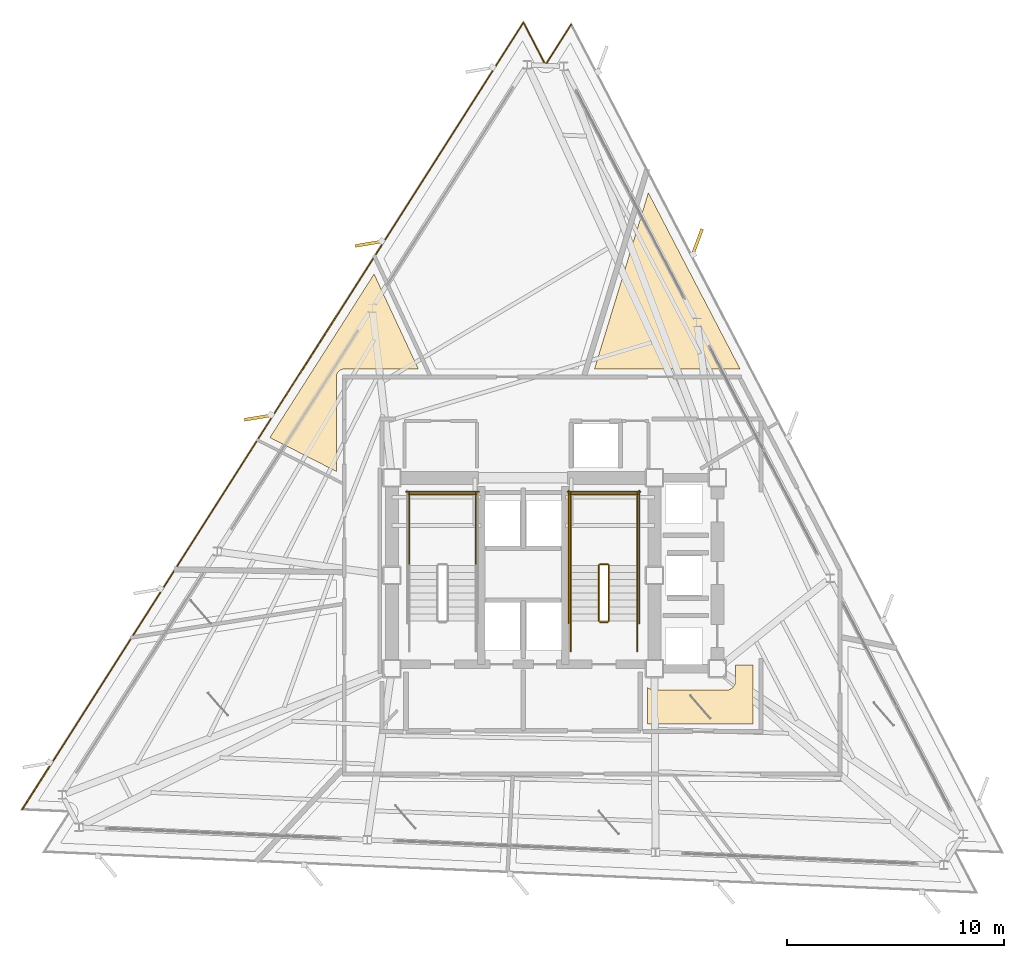
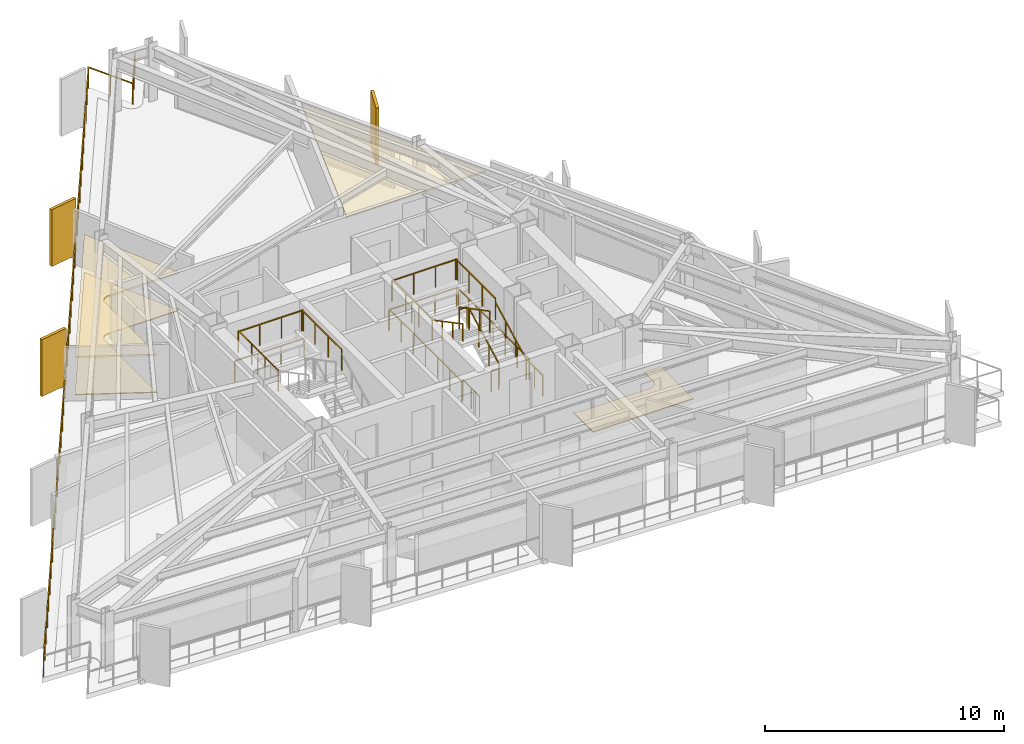
# One storey, part 11 of 12: 19 railings, 4 coverings, 3 shading devices.
"""IFC4 building model written with IfcOpenShell, lengths in metres."""

from ifc_helpers import new_model, si_unit, direction, frame, origin, origin_2d, place, context, subcontext, project, spatial, polyline, rectangle, outline, extrude, material, layer, layer_set, type_object, element, save


model = new_model("IFC4")

# Units and contexts
model_context = context("Model", 3, precision=1e-05, world=origin(), true_north=direction((0.0, 1.0)))
body_context = subcontext(model_context, "Body", "Model", "MODEL_VIEW")
ifc_project = project(units=[si_unit("LENGTHUNIT", "METRE"), si_unit("AREAUNIT", "SQUARE_METRE"), si_unit("VOLUMEUNIT", "CUBIC_METRE"), si_unit("PLANEANGLEUNIT", "RADIAN"), si_unit("MASSUNIT", "GRAM", prefix="KILO")], contexts=[model_context])

# Site, building, storey
site_placement = place(None, origin())
site = spatial("IfcSite", under=ifc_project, at=site_placement, CompositionType="ELEMENT")
building_placement = place(site_placement, origin())
building = spatial("IfcBuilding", under=site, at=building_placement, Name="Rocaltana Carrier Exchange", CompositionType="ELEMENT")
storey_placement = place(building_placement, frame((0.0, 0.0, 141.1201171875)))
storey = spatial("IfcBuildingStorey", under=building, at=storey_placement, Name="L44", CompositionType="ELEMENT", Elevation=141.1201171875)

# Coverings
ifc_material_1 = material(Name="Honed Bogota Sandstone Tile", Category="masonry")
ifc_layer_1 = layer(ifc_material_1, 0.0400390625)
ifc_layer_set_1 = layer_set([ifc_layer_1], Name="Honed Bogota Sandstone Tile")
covering_type_1 = type_object("IfcCoveringType", Name="Honed Stone Lobby Flooring 40", PredefinedType="FLOORING", material=ifc_layer_set_1)
covering_1_placement = place(storey_placement, origin())
element("IfcCovering", 1, at=covering_1_placement, inside=storey, type_object=covering_type_1, Name="L44 Peering Conference Room Finish Floor", PredefinedType="FLOORING", context=body_context, shape_type="SweptSolid", body=[
    extrude(outline(polyline([(5.739990234375, -6.840087890625), (5.739990234375, -5.161865234375), (5.748779296875, -5.170654296875), (5.760498046875, -5.18115234375), (5.78173828125, -5.198486328125), (5.794189453125, -5.2080078125), (5.817138671875, -5.22314453125), (5.83056640625, -5.231201171875), (5.85498046875, -5.244140625), (5.869140625, -5.2509765625), (5.894287109375, -5.261474609375), (5.9091796875, -5.2666015625), (5.935546875, -5.274658203125), (5.95068359375, -5.278564453125), (5.977783203125, -5.283935546875), (5.9931640625, -5.2861328125), (6.0205078125, -5.288818359375), (6.036376953125, -5.289794921875), (6.050048828125, -5.2900390625), (9.35009765625, -5.2900390625), (9.36376953125, -5.289794921875), (9.37939453125, -5.288818359375), (9.40673828125, -5.2861328125), (9.42236328125, -5.283935546875), (9.44921875, -5.278564453125), (9.464599609375, -5.274658203125), (9.49072265625, -5.2666015625), (9.505615234375, -5.261474609375), (9.531005859375, -5.2509765625), (9.545166015625, -5.244140625), (9.5693359375, -5.231201171875), (9.582763671875, -5.22314453125), (9.605712890625, -5.2080078125), (9.618408203125, -5.198486328125), (9.639404296875, -5.18115234375), (9.651123046875, -5.170654296875), (9.670654296875, -5.151123046875), (9.68115234375, -5.139404296875), (9.698486328125, -5.118408203125), (9.7080078125, -5.105712890625), (9.72314453125, -5.082763671875), (9.731201171875, -5.0693359375), (9.744140625, -5.045166015625), (9.7509765625, -5.031005859375), (9.761474609375, -5.005615234375), (9.7666015625, -4.99072265625), (9.774658203125, -4.964599609375), (9.778564453125, -4.94921875), (9.783935546875, -4.92236328125), (9.7861328125, -4.90673828125), (9.788818359375, -4.87939453125), (9.789794921875, -4.86376953125), (9.7900390625, -4.85009765625), (9.7900390625, -4.139892578125), (10.60009765625, -4.139892578125), (10.60009765625, -6.840087890625), (5.739990234375, -6.840087890625)])), origin(), (0.0, 0.0, 1.0), 0.039794921875),
])
covering_2_placement = place(storey_placement, origin())
element("IfcCovering", 2, at=covering_2_placement, inside=storey, type_object=covering_type_1, Name="L44 Client Reception Foyer Finish Floor", PredefinedType="FLOORING", context=body_context, shape_type="SweptSolid", body=[
    extrude(outline(polyline([(-6.874267578125, 13.89013671875), (-4.831787109375, 9.510009765625), (-8.25, 9.510009765625), (-8.263671875, 9.509765625), (-8.271484375, 9.50927734375), (-8.298828125, 9.506591796875), (-8.306640625, 9.50537109375), (-8.33349609375, 9.5), (-8.34130859375, 9.498291015625), (-8.36767578125, 9.490234375), (-8.375, 9.487548828125), (-8.400390625, 9.47705078125), (-8.407470703125, 9.4736328125), (-8.431640625, 9.460693359375), (-8.4384765625, 9.456787109375), (-8.461181640625, 9.44140625), (-8.467529296875, 9.436767578125), (-8.48876953125, 9.419189453125), (-8.49462890625, 9.4140625), (-8.513916015625, 9.39453125), (-8.519287109375, 9.388916015625), (-8.53662109375, 9.367431640625), (-8.54150390625, 9.361083984375), (-8.556640625, 9.33837890625), (-8.560791015625, 9.331787109375), (-8.57373046875, 9.307373046875), (-8.576904296875, 9.30029296875), (-8.58740234375, 9.27490234375), (-8.590087890625, 9.267578125), (-8.59814453125, 9.2412109375), (-8.60009765625, 9.233642578125), (-8.60546875, 9.206787109375), (-8.606689453125, 9.198974609375), (-8.609375, 9.171630859375), (-8.609619140625, 9.163818359375), (-8.610107421875, 9.14990234375), (-8.610107421875, 4.791015625), (-11.67578125, 6.353271484375), (-6.874267578125, 13.89013671875)])), origin(), (0.0, 0.0, 1.0), 0.039794921875),
])
ifc_material_2 = material(Name="Anodised Aluminium 6063-T6", Category="aluminium")
ifc_layer_2 = layer(ifc_material_2, 0.0849609375)
ifc_layer_set_2 = layer_set([ifc_layer_2], Name="Anodised Aluminium 6063-T6")
covering_type_2 = type_object("IfcCoveringType", Name="Linear Baffle Acoustic Ceiling 85", PredefinedType="CEILING", material=ifc_layer_set_2)
covering_3_placement = place(storey_placement, frame((0.0, 0.0, 1.892822265625)))
element("IfcCovering", 3, at=covering_3_placement, inside=storey, type_object=covering_type_2, Name="L44 Carrier Peering Suite Acoustic Ceiling", PredefinedType="CEILING", context=body_context, shape_type="SweptSolid", body=[
    extrude(outline(polyline([(10.000732421875, 9.507568359375), (9.9833984375, 9.50927734375), (9.975341796875, 9.509765625), (9.96142578125, 9.510009765625), (3.283935546875, 9.510009765625), (5.768798828125, 17.63720703125), (10.000732421875, 9.507568359375)])), origin(), (0.0, 0.0, 1.0), 0.0849609375),
])
covering_4_placement = place(storey_placement, frame((0.0, 0.0, 1.892822265625)))
element("IfcCovering", 4, at=covering_4_placement, inside=storey, type_object=covering_type_2, Name="L44 Client Reception Foyer Acoustic Ceiling", PredefinedType="CEILING", context=body_context, shape_type="SweptSolid", body=[
    extrude(outline(polyline([(-6.874267578125, 13.89013671875), (-4.831787109375, 9.510009765625), (-8.25, 9.510009765625), (-8.263671875, 9.509765625), (-8.271484375, 9.50927734375), (-8.298828125, 9.506591796875), (-8.306640625, 9.50537109375), (-8.33349609375, 9.5), (-8.34130859375, 9.498291015625), (-8.36767578125, 9.490234375), (-8.375, 9.487548828125), (-8.400390625, 9.47705078125), (-8.407470703125, 9.4736328125), (-8.431640625, 9.460693359375), (-8.4384765625, 9.456787109375), (-8.461181640625, 9.44140625), (-8.467529296875, 9.436767578125), (-8.48876953125, 9.419189453125), (-8.49462890625, 9.4140625), (-8.513916015625, 9.39453125), (-8.519287109375, 9.388916015625), (-8.53662109375, 9.367431640625), (-8.54150390625, 9.361083984375), (-8.556640625, 9.33837890625), (-8.560791015625, 9.331787109375), (-8.57373046875, 9.307373046875), (-8.576904296875, 9.30029296875), (-8.58740234375, 9.27490234375), (-8.590087890625, 9.267578125), (-8.59814453125, 9.2412109375), (-8.60009765625, 9.233642578125), (-8.60546875, 9.206787109375), (-8.606689453125, 9.198974609375), (-8.609375, 9.171630859375), (-8.609619140625, 9.163818359375), (-8.610107421875, 9.14990234375), (-8.610107421875, 4.791015625), (-11.67578125, 6.353271484375), (-6.874267578125, 13.89013671875)])), origin(), (0.0, 0.0, 1.0), 0.0849609375),
])

# Railings
ifc_material_3 = material(Name="Brushed Architectural Stainless Tube", Category="steel")
ifc_layer_3 = layer(ifc_material_3, 0.048095703125)
ifc_layer_set_3 = layer_set([ifc_layer_3], Name="Brushed Architectural Stainless Tube")
railing_type_1 = type_object("IfcRailingType", Name="Stair Wall Handrail 920", PredefinedType="HANDRAIL", material=ifc_layer_set_3)
railing_1_placement = place(storey_placement, frame((5.25, -2.10009765625, 0.168701171875)))
element("IfcRailing", 5, at=railing_1_placement, inside=storey, type_object=railing_type_1, Name="L44 ST-2 stair handrail 1", PredefinedType="HANDRAIL", context=body_context, shape_type="SweptSolid", body=[
    extrude(rectangle(XDim=0.048095703125, YDim=0.048095703125, at=origin_2d()), frame((0.0, 0.0, 0.8759765625), z_axis=(0.0, 0.884394423565, 0.466740295633), x_axis=(-1.0, 0.0, 0.0)), (0.0, 0.0, 1.0), 2.894775390625),
    extrude(rectangle(XDim=0.0419921875, YDim=0.0419921875, at=origin_2d()), origin(), (0.0, 0.0, 1.0), 0.851806640625),
    extrude(rectangle(XDim=0.0419921875, YDim=0.0419921875, at=origin_2d()), frame((0.0, 0.853271484375, 0.450439453125)), (0.0, 0.0, 1.0), 0.851806640625),
    extrude(rectangle(XDim=0.0419921875, YDim=0.0419921875, at=origin_2d()), frame((0.0, 1.706787109375, 0.900634765625)), (0.0, 0.0, 1.0), 0.851806640625),
    extrude(rectangle(XDim=0.0419921875, YDim=0.0419921875, at=origin_2d()), frame((0.0, 2.56005859375, 1.35107421875)), (0.0, 0.0, 1.0), 0.851806640625),
])
railing_2_placement = place(storey_placement, frame((2.18994140625, 0.4599609375, 1.688720703125)))
element("IfcRailing", 6, at=railing_2_placement, inside=storey, type_object=railing_type_1, Name="L44 ST-2 stair handrail 2", PredefinedType="HANDRAIL", context=body_context, shape_type="SweptSolid", body=[
    extrude(rectangle(XDim=0.048095703125, YDim=0.048095703125, at=origin_2d()), frame((0.0, 0.0, 0.8759765625), z_axis=(0.0, -0.884394423565, 0.466740295633), x_axis=(1.0, 0.0, 0.0)), (0.0, 0.0, 1.0), 2.894775390625),
    extrude(rectangle(XDim=0.0419921875, YDim=0.0419921875, at=origin_2d()), origin(), (0.0, 0.0, 1.0), 0.851806640625),
    extrude(rectangle(XDim=0.0419921875, YDim=0.0419921875, at=origin_2d()), frame((0.0, -0.853271484375, 0.450439453125)), (0.0, 0.0, 1.0), 0.851806640625),
    extrude(rectangle(XDim=0.0419921875, YDim=0.0419921875, at=origin_2d()), frame((0.0, -1.706787109375, 0.900634765625)), (0.0, 0.0, 1.0), 0.851806640625),
    extrude(rectangle(XDim=0.0419921875, YDim=0.0419921875, at=origin_2d()), frame((0.0, -2.56005859375, 1.35107421875)), (0.0, 0.0, 1.0), 0.851806640625),
])
ifc_material_4 = material(Name="Powder-Coated Aluminium 6063-T6", Category="aluminium")
ifc_layer_4 = layer(ifc_material_4, 0.048095703125)
ifc_layer_set_4 = layer_set([ifc_layer_4], Name="Powder-Coated Aluminium 6063-T6")
railing_type_2 = type_object("IfcRailingType", Name="Stair Well Guardrail 1100", PredefinedType="GUARDRAIL", material=ifc_layer_set_4)
for number, where, name in (
    (7, (-2.18994140625, 0.4599609375, 1.519775390625), "L44 ST-1 stair guard 3"),
    (8, (-5.25, 0.4599609375, 1.519775390625), "L44 ST-1 stair guard 4"),
):
    element("IfcRailing", number, at=place(storey_placement, frame(where)), inside=storey, type_object=railing_type_2, Name=name, PredefinedType="GUARDRAIL", context=body_context, shape_type="SweptSolid", body=[
        extrude(rectangle(XDim=0.048095703125, YDim=0.048095703125, at=origin_2d()), frame((0.0, 0.0, 1.076171875), z_axis=(0.0, 1.0, 0.0), x_axis=(-1.0, 0.0, 0.0)), (0.0, 0.0, 1.0), 3.340087890625),
        extrude(rectangle(XDim=0.0419921875, YDim=0.0419921875, at=origin_2d()), origin(), (0.0, 0.0, 1.0), 1.052001953125),
        extrude(rectangle(XDim=0.0419921875, YDim=0.0419921875, at=origin_2d()), frame((0.0, 1.11328125, 0.0)), (0.0, 0.0, 1.0), 1.052001953125),
        extrude(rectangle(XDim=0.0419921875, YDim=0.0419921875, at=origin_2d()), frame((0.0, 2.226806640625, 0.0)), (0.0, 0.0, 1.0), 1.052001953125),
        extrude(rectangle(XDim=0.0419921875, YDim=0.0419921875, at=origin_2d()), frame((0.0, 3.340087890625, 0.0)), (0.0, 0.0, 1.0), 1.052001953125),
    ])
railing_3_placement = place(storey_placement, frame((-2.139892578125, 3.75, 1.519775390625)))
element("IfcRailing", 9, at=railing_3_placement, inside=storey, type_object=railing_type_2, Name="L44 ST-1 stair guard 5", PredefinedType="GUARDRAIL", context=body_context, shape_type="SweptSolid", body=[
    extrude(rectangle(XDim=0.048095703125, YDim=0.048095703125, at=origin_2d()), frame((0.0, 0.0, 1.076171875), z_axis=(-1.0, 0.0, 0.0), x_axis=(0.0, -1.0, 0.0)), (0.0, 0.0, 1.0), 3.16015625),
    extrude(rectangle(XDim=0.0419921875, YDim=0.0419921875, at=origin_2d()), origin(), (0.0, 0.0, 1.0), 1.052001953125),
    extrude(rectangle(XDim=0.0419921875, YDim=0.0419921875, at=origin_2d()), frame((-1.053466796875, 0.0, 0.0)), (0.0, 0.0, 1.0), 1.052001953125),
    extrude(rectangle(XDim=0.0419921875, YDim=0.0419921875, at=origin_2d()), frame((-2.106689453125, 0.0, 0.0)), (0.0, 0.0, 1.0), 1.052001953125),
    extrude(rectangle(XDim=0.0419921875, YDim=0.0419921875, at=origin_2d()), frame((-3.16015625, 0.0, 0.0)), (0.0, 0.0, 1.0), 1.052001953125),
])
railing_4_placement = place(storey_placement, frame((-2.0400390625, 3.85009765625, 0.0)))
element("IfcRailing", 10, at=railing_4_placement, inside=storey, type_object=railing_type_2, Name="L44 ST-1 stair guard 12", PredefinedType="GUARDRAIL", context=body_context, shape_type="SweptSolid", body=[
    extrude(rectangle(XDim=0.048095703125, YDim=0.048095703125, at=origin_2d()), frame((0.0, 0.0, 1.076171875), z_axis=(-1.0, 0.0, 0.0), x_axis=(0.0, -1.0, 0.0)), (0.0, 0.0, 1.0), 3.35986328125),
    extrude(rectangle(XDim=0.0419921875, YDim=0.0419921875, at=origin_2d()), origin(), (0.0, 0.0, 1.0), 1.052001953125),
    extrude(rectangle(XDim=0.0419921875, YDim=0.0419921875, at=origin_2d()), frame((-1.119873046875, 0.0, 0.0)), (0.0, 0.0, 1.0), 1.052001953125),
    extrude(rectangle(XDim=0.0419921875, YDim=0.0419921875, at=origin_2d()), frame((-2.239990234375, 0.0, 0.0)), (0.0, 0.0, 1.0), 1.052001953125),
    extrude(rectangle(XDim=0.0419921875, YDim=0.0419921875, at=origin_2d()), frame((-3.35986328125, 0.0, 0.0)), (0.0, 0.0, 1.0), 1.052001953125),
])
railing_5_placement = place(storey_placement, frame((3.949951171875, -2.10009765625, 0.168701171875)))
element("IfcRailing", 11, at=railing_5_placement, inside=storey, type_object=railing_type_2, Name="L44 ST-2 stair guard 1", PredefinedType="GUARDRAIL", context=body_context, shape_type="SweptSolid", body=[
    extrude(rectangle(XDim=0.048095703125, YDim=0.048095703125, at=origin_2d()), frame((0.0, 0.0, 1.076171875), z_axis=(0.0, 0.884394423565, 0.466740295633), x_axis=(-1.0, 0.0, 0.0)), (0.0, 0.0, 1.0), 2.894775390625),
    extrude(rectangle(XDim=0.0419921875, YDim=0.0419921875, at=origin_2d()), origin(), (0.0, 0.0, 1.0), 1.052001953125),
    extrude(rectangle(XDim=0.0419921875, YDim=0.0419921875, at=origin_2d()), frame((0.0, 0.853271484375, 0.450439453125)), (0.0, 0.0, 1.0), 1.052001953125),
    extrude(rectangle(XDim=0.0419921875, YDim=0.0419921875, at=origin_2d()), frame((0.0, 1.706787109375, 0.900634765625)), (0.0, 0.0, 1.0), 1.052001953125),
    extrude(rectangle(XDim=0.0419921875, YDim=0.0419921875, at=origin_2d()), frame((0.0, 2.56005859375, 1.35107421875)), (0.0, 0.0, 1.0), 1.052001953125),
])
railing_6_placement = place(storey_placement, frame((3.89990234375, 0.510009765625, 1.519775390625)))
element("IfcRailing", 12, at=railing_6_placement, inside=storey, type_object=railing_type_2, Name="L44 ST-2 stair guard 2", PredefinedType="GUARDRAIL", context=body_context, shape_type="SweptSolid", body=[
    extrude(rectangle(XDim=0.048095703125, YDim=0.048095703125, at=origin_2d()), frame((0.0, 0.0, 1.076171875), z_axis=(-1.0, 0.0, 0.0), x_axis=(0.0, -1.0, 0.0)), (0.0, 0.0, 1.0), 0.35986328125),
    extrude(rectangle(XDim=0.0419921875, YDim=0.0419921875, at=origin_2d()), origin(), (0.0, 0.0, 1.0), 1.052001953125),
    extrude(rectangle(XDim=0.0419921875, YDim=0.0419921875, at=origin_2d()), frame((-0.35986328125, 0.0, 0.0)), (0.0, 0.0, 1.0), 1.052001953125),
])
for number, where, name in (
    (13, (5.25, 0.4599609375, 1.519775390625), "L44 ST-2 stair guard 3"),
    (14, (2.18994140625, 0.4599609375, 1.519775390625), "L44 ST-2 stair guard 4"),
):
    element("IfcRailing", number, at=place(storey_placement, frame(where)), inside=storey, type_object=railing_type_2, Name=name, PredefinedType="GUARDRAIL", context=body_context, shape_type="SweptSolid", body=[
        extrude(rectangle(XDim=0.048095703125, YDim=0.048095703125, at=origin_2d()), frame((0.0, 0.0, 1.076171875), z_axis=(0.0, 1.0, 0.0), x_axis=(-1.0, 0.0, 0.0)), (0.0, 0.0, 1.0), 3.340087890625),
        extrude(rectangle(XDim=0.0419921875, YDim=0.0419921875, at=origin_2d()), origin(), (0.0, 0.0, 1.0), 1.052001953125),
        extrude(rectangle(XDim=0.0419921875, YDim=0.0419921875, at=origin_2d()), frame((0.0, 1.11328125, 0.0)), (0.0, 0.0, 1.0), 1.052001953125),
        extrude(rectangle(XDim=0.0419921875, YDim=0.0419921875, at=origin_2d()), frame((0.0, 2.226806640625, 0.0)), (0.0, 0.0, 1.0), 1.052001953125),
        extrude(rectangle(XDim=0.0419921875, YDim=0.0419921875, at=origin_2d()), frame((0.0, 3.340087890625, 0.0)), (0.0, 0.0, 1.0), 1.052001953125),
    ])
railing_7_placement = place(storey_placement, frame((5.300048828125, 3.75, 1.519775390625)))
element("IfcRailing", 15, at=railing_7_placement, inside=storey, type_object=railing_type_2, Name="L44 ST-2 stair guard 5", PredefinedType="GUARDRAIL", context=body_context, shape_type="SweptSolid", body=[
    extrude(rectangle(XDim=0.048095703125, YDim=0.048095703125, at=origin_2d()), frame((0.0, 0.0, 1.076171875), z_axis=(-1.0, 0.0, 0.0), x_axis=(0.0, -1.0, 0.0)), (0.0, 0.0, 1.0), 3.16015625),
    extrude(rectangle(XDim=0.0419921875, YDim=0.0419921875, at=origin_2d()), origin(), (0.0, 0.0, 1.0), 1.052001953125),
    extrude(rectangle(XDim=0.0419921875, YDim=0.0419921875, at=origin_2d()), frame((-1.053466796875, 0.0, 0.0)), (0.0, 0.0, 1.0), 1.052001953125),
    extrude(rectangle(XDim=0.0419921875, YDim=0.0419921875, at=origin_2d()), frame((-2.106689453125, 0.0, 0.0)), (0.0, 0.0, 1.0), 1.052001953125),
    extrude(rectangle(XDim=0.0419921875, YDim=0.0419921875, at=origin_2d()), frame((-3.16015625, 0.0, 0.0)), (0.0, 0.0, 1.0), 1.052001953125),
])
railing_8_placement = place(storey_placement, frame((3.489990234375, 0.4599609375, 1.688720703125)))
element("IfcRailing", 16, at=railing_8_placement, inside=storey, type_object=railing_type_2, Name="L44 ST-2 stair guard 6", PredefinedType="GUARDRAIL", context=body_context, shape_type="SweptSolid", body=[
    extrude(rectangle(XDim=0.048095703125, YDim=0.048095703125, at=origin_2d()), frame((0.0, 0.0, 1.076171875), z_axis=(0.0, -0.884394423565, 0.466740295633), x_axis=(1.0, 0.0, 0.0)), (0.0, 0.0, 1.0), 2.894775390625),
    extrude(rectangle(XDim=0.0419921875, YDim=0.0419921875, at=origin_2d()), origin(), (0.0, 0.0, 1.0), 1.052001953125),
    extrude(rectangle(XDim=0.0419921875, YDim=0.0419921875, at=origin_2d()), frame((0.0, -0.853271484375, 0.450439453125)), (0.0, 0.0, 1.0), 1.052001953125),
    extrude(rectangle(XDim=0.0419921875, YDim=0.0419921875, at=origin_2d()), frame((0.0, -1.706787109375, 0.900634765625)), (0.0, 0.0, 1.0), 1.052001953125),
    extrude(rectangle(XDim=0.0419921875, YDim=0.0419921875, at=origin_2d()), frame((0.0, -2.56005859375, 1.35107421875)), (0.0, 0.0, 1.0), 1.052001953125),
])
railing_9_placement = place(storey_placement, frame((3.89990234375, -2.14990234375, 0.0)))
element("IfcRailing", 17, at=railing_9_placement, inside=storey, type_object=railing_type_2, Name="L44 ST-2 stair guard 7", PredefinedType="GUARDRAIL", context=body_context, shape_type="SweptSolid", body=[
    extrude(rectangle(XDim=0.048095703125, YDim=0.048095703125, at=origin_2d()), frame((0.0, 0.0, 1.076171875), z_axis=(-1.0, 0.0, 0.0), x_axis=(0.0, -1.0, 0.0)), (0.0, 0.0, 1.0), 0.35986328125),
    extrude(rectangle(XDim=0.0419921875, YDim=0.0419921875, at=origin_2d()), origin(), (0.0, 0.0, 1.0), 1.052001953125),
    extrude(rectangle(XDim=0.0419921875, YDim=0.0419921875, at=origin_2d()), frame((-0.35986328125, 0.0, 0.0)), (0.0, 0.0, 1.0), 1.052001953125),
])
for number, where, name in (
    (18, (5.25, -3.5, 0.0), "L44 ST-2 stair guard 8"),
    (19, (2.18994140625, -3.5, 0.0), "L44 ST-2 stair guard 9"),
):
    element("IfcRailing", number, at=place(storey_placement, frame(where)), inside=storey, type_object=railing_type_2, Name=name, PredefinedType="GUARDRAIL", context=body_context, shape_type="SweptSolid", body=[
        extrude(rectangle(XDim=0.048095703125, YDim=0.048095703125, at=origin_2d()), frame((0.0, 0.0, 1.076171875), z_axis=(0.0, 1.0, 0.0), x_axis=(-1.0, 0.0, 0.0)), (0.0, 0.0, 1.0), 1.39990234375),
        extrude(rectangle(XDim=0.0419921875, YDim=0.0419921875, at=origin_2d()), origin(), (0.0, 0.0, 1.0), 1.052001953125),
        extrude(rectangle(XDim=0.0419921875, YDim=0.0419921875, at=origin_2d()), frame((0.0, 0.699951171875, 0.0)), (0.0, 0.0, 1.0), 1.052001953125),
        extrude(rectangle(XDim=0.0419921875, YDim=0.0419921875, at=origin_2d()), frame((0.0, 1.39990234375, 0.0)), (0.0, 0.0, 1.0), 1.052001953125),
    ])
for number, where, name in (
    (20, (5.35009765625, -2.199951171875, 0.0), "L44 ST-2 stair guard 10"),
    (21, (2.090087890625, -2.199951171875, 0.0), "L44 ST-2 stair guard 11"),
):
    element("IfcRailing", number, at=place(storey_placement, frame(where)), inside=storey, type_object=railing_type_2, Name=name, PredefinedType="GUARDRAIL", context=body_context, shape_type="SweptSolid", body=[
        extrude(rectangle(XDim=0.048095703125, YDim=0.048095703125, at=origin_2d()), frame((0.0, 0.0, 1.076171875), z_axis=(0.0, 1.0, 0.0), x_axis=(-1.0, 0.0, 0.0)), (0.0, 0.0, 1.0), 6.099853515625),
        extrude(rectangle(XDim=0.0419921875, YDim=0.0419921875, at=origin_2d()), origin(), (0.0, 0.0, 1.0), 1.052001953125),
        extrude(rectangle(XDim=0.0419921875, YDim=0.0419921875, at=origin_2d()), frame((0.0, 1.0166015625, 0.0)), (0.0, 0.0, 1.0), 1.052001953125),
        extrude(rectangle(XDim=0.0419921875, YDim=0.0419921875, at=origin_2d()), frame((0.0, 2.033203125, 0.0)), (0.0, 0.0, 1.0), 1.052001953125),
        extrude(rectangle(XDim=0.0419921875, YDim=0.0419921875, at=origin_2d()), frame((0.0, 3.0498046875, 0.0)), (0.0, 0.0, 1.0), 1.052001953125),
        extrude(rectangle(XDim=0.0419921875, YDim=0.0419921875, at=origin_2d()), frame((0.0, 4.066650390625, 0.0)), (0.0, 0.0, 1.0), 1.052001953125),
        extrude(rectangle(XDim=0.0419921875, YDim=0.0419921875, at=origin_2d()), frame((0.0, 5.083251953125, 0.0)), (0.0, 0.0, 1.0), 1.052001953125),
        extrude(rectangle(XDim=0.0419921875, YDim=0.0419921875, at=origin_2d()), frame((0.0, 6.099853515625, 0.0)), (0.0, 0.0, 1.0), 1.052001953125),
    ])
railing_10_placement = place(storey_placement, frame((5.39990234375, 3.85009765625, 0.0)))
element("IfcRailing", 22, at=railing_10_placement, inside=storey, type_object=railing_type_2, Name="L44 ST-2 stair guard 12", PredefinedType="GUARDRAIL", context=body_context, shape_type="SweptSolid", body=[
    extrude(rectangle(XDim=0.048095703125, YDim=0.048095703125, at=origin_2d()), frame((0.0, 0.0, 1.076171875), z_axis=(-1.0, 0.0, 0.0), x_axis=(0.0, -1.0, 0.0)), (0.0, 0.0, 1.0), 3.35986328125),
    extrude(rectangle(XDim=0.0419921875, YDim=0.0419921875, at=origin_2d()), origin(), (0.0, 0.0, 1.0), 1.052001953125),
    extrude(rectangle(XDim=0.0419921875, YDim=0.0419921875, at=origin_2d()), frame((-1.119873046875, 0.0, 0.0)), (0.0, 0.0, 1.0), 1.052001953125),
    extrude(rectangle(XDim=0.0419921875, YDim=0.0419921875, at=origin_2d()), frame((-2.239990234375, 0.0, 0.0)), (0.0, 0.0, 1.0), 1.052001953125),
    extrude(rectangle(XDim=0.0419921875, YDim=0.0419921875, at=origin_2d()), frame((-3.35986328125, 0.0, 0.0)), (0.0, 0.0, 1.0), 1.052001953125),
])

# Shading devices
ifc_material_5 = material(Name="Honed Bogota Sandstone & Concrete C45/55", Category="masonry")
ifc_layer_5 = layer(ifc_material_5, 0.139892578125)
ifc_layer_set_5 = layer_set([ifc_layer_5], Name="Honed Bogota Sandstone & Concrete C45/55")
shading_device_type = type_object("IfcShadingDeviceType", Name="Vertical Sandstone Shading Fin 1320x140", PredefinedType="USERDEFINED", material=ifc_layer_set_5)
for number, where, z_axis, x_axis, name in (
    (23, (8.018798828125, 15.352294921875, -0.1201171875), (0.0, 0.0, 1.0), (0.350207381259, 0.936672189248, 0.0), "L44 Sandstone Vertical Fin F1-04"),
    (24, (-7.09619140625, 15.29296875, -0.1201171875), (0.0, 0.0, 1.0), (-0.986285601537, -0.165047605861, 0.0), "L44 Sandstone Vertical Fin F2-02"),
    (25, (-12.200439453125, 7.28076171875, -0.1201171875), (0.0, 0.0, 1.0), (-0.986285601537, -0.165047605861, 0.0), "L44 Sandstone Vertical Fin F2-03"),
):
    element("IfcShadingDevice", number, at=place(storey_placement, frame(where, z_axis=z_axis, x_axis=x_axis)), inside=storey, type_object=shading_device_type, Name=name, ObjectType="FIN", PredefinedType="USERDEFINED", context=body_context, shape_type="SweptSolid", body=[
        extrude(rectangle(XDim=1.320068359375, YDim=0.139892578125, at=origin_2d()), origin(), (0.0, 0.0, 1.0), 2.907958984375),
    ])

# Railing
ifc_material_6 = material(Name="Powder-Coated Aluminium 6063-T6", Category="aluminium")
ifc_layer_6 = layer(ifc_material_6, 0.06005859375)
ifc_layer_set_6 = layer_set([ifc_layer_6], Name="Powder-Coated Aluminium 6063-T6")
railing_type_3 = type_object("IfcRailingType", Name="Wind-Floor & Terrace Perimeter Guardrail 1100", PredefinedType="GUARDRAIL", material=ifc_layer_set_6)
railing_11_placement = place(storey_placement, frame((-23.08837890625, -10.77880859375, 0.0)))
element("IfcRailing", 26, at=railing_11_placement, inside=storey, type_object=railing_type_3, Name="L44 Perimeter Balcony Guardrail 2", PredefinedType="GUARDRAIL", context=body_context, shape_type="SweptSolid", body=[
    extrude(rectangle(XDim=0.048095703125, YDim=0.048095703125, at=origin_2d()), frame((0.0, 0.0, 1.076171875), z_axis=(0.537302027916, 0.843389904373, 0.0), x_axis=(-0.843389904373, 0.537302027916, 0.0)), (0.0, 0.0, 1.0), 42.9921875),
    extrude(rectangle(XDim=0.048095703125, YDim=0.048095703125, at=origin_2d()), frame((23.099853515625, 36.25927734375, 1.076171875), z_axis=(0.46171255631, -0.887029602294, 0.0), x_axis=(0.887029602294, 0.46171255631, 0.0)), (0.0, 0.0, 1.0), 2.2001953125),
    extrude(rectangle(XDim=0.048095703125, YDim=0.048095703125, at=origin_2d()), frame((24.11572265625, 34.3076171875, 1.076171875), z_axis=(0.537270321913, 0.843410102614, 0.0), x_axis=(-0.843410102614, 0.537270321913, 0.0)), (0.0, 0.0, 1.0), 2.2001953125),
    extrude(rectangle(XDim=0.0419921875, YDim=0.0419921875, at=origin_2d()), origin(), (0.0, 0.0, 1.0), 1.052001953125),
    extrude(rectangle(XDim=0.0419921875, YDim=0.0419921875, at=origin_2d()), frame((0.6416015625, 1.00732421875, 0.0)), (0.0, 0.0, 1.0), 1.052001953125),
    extrude(rectangle(XDim=0.0419921875, YDim=0.0419921875, at=origin_2d()), frame((1.283203125, 2.014404296875, 0.0)), (0.0, 0.0, 1.0), 1.052001953125),
    extrude(rectangle(XDim=0.0419921875, YDim=0.0419921875, at=origin_2d()), frame((1.925048828125, 3.021484375, 0.0)), (0.0, 0.0, 1.0), 1.052001953125),
    extrude(rectangle(XDim=0.0419921875, YDim=0.0419921875, at=origin_2d()), frame((2.566650390625, 4.02880859375, 0.0)), (0.0, 0.0, 1.0), 1.052001953125),
    extrude(rectangle(XDim=0.0419921875, YDim=0.0419921875, at=origin_2d()), frame((3.208251953125, 5.0361328125, 0.0)), (0.0, 0.0, 1.0), 1.052001953125),
    extrude(rectangle(XDim=0.0419921875, YDim=0.0419921875, at=origin_2d()), frame((3.85009765625, 6.043212890625, 0.0)), (0.0, 0.0, 1.0), 1.052001953125),
    extrude(rectangle(XDim=0.0419921875, YDim=0.0419921875, at=origin_2d()), frame((4.49169921875, 7.05029296875, 0.0)), (0.0, 0.0, 1.0), 1.052001953125),
    extrude(rectangle(XDim=0.0419921875, YDim=0.0419921875, at=origin_2d()), frame((5.13330078125, 8.0576171875, 0.0)), (0.0, 0.0, 1.0), 1.052001953125),
    extrude(rectangle(XDim=0.0419921875, YDim=0.0419921875, at=origin_2d()), frame((5.77490234375, 9.06494140625, 0.0)), (0.0, 0.0, 1.0), 1.052001953125),
    extrude(rectangle(XDim=0.0419921875, YDim=0.0419921875, at=origin_2d()), frame((6.41650390625, 10.072021484375, 0.0)), (0.0, 0.0, 1.0), 1.052001953125),
    extrude(rectangle(XDim=0.0419921875, YDim=0.0419921875, at=origin_2d()), frame((7.058349609375, 11.079345703125, 0.0)), (0.0, 0.0, 1.0), 1.052001953125),
    extrude(rectangle(XDim=0.0419921875, YDim=0.0419921875, at=origin_2d()), frame((7.699951171875, 12.08642578125, 0.0)), (0.0, 0.0, 1.0), 1.052001953125),
    extrude(rectangle(XDim=0.0419921875, YDim=0.0419921875, at=origin_2d()), frame((8.341552734375, 13.09375, 0.0)), (0.0, 0.0, 1.0), 1.052001953125),
    extrude(rectangle(XDim=0.0419921875, YDim=0.0419921875, at=origin_2d()), frame((8.9833984375, 14.100830078125, 0.0)), (0.0, 0.0, 1.0), 1.052001953125),
    extrude(rectangle(XDim=0.0419921875, YDim=0.0419921875, at=origin_2d()), frame((9.625, 15.10791015625, 0.0)), (0.0, 0.0, 1.0), 1.052001953125),
    extrude(rectangle(XDim=0.0419921875, YDim=0.0419921875, at=origin_2d()), frame((10.2666015625, 16.115234375, 0.0)), (0.0, 0.0, 1.0), 1.052001953125),
    extrude(rectangle(XDim=0.0419921875, YDim=0.0419921875, at=origin_2d()), frame((10.908203125, 17.12255859375, 0.0)), (0.0, 0.0, 1.0), 1.052001953125),
    extrude(rectangle(XDim=0.0419921875, YDim=0.0419921875, at=origin_2d()), frame((11.5498046875, 18.129638671875, 0.0)), (0.0, 0.0, 1.0), 1.052001953125),
    extrude(rectangle(XDim=0.0419921875, YDim=0.0419921875, at=origin_2d()), frame((12.191650390625, 19.13671875, 0.0)), (0.0, 0.0, 1.0), 1.052001953125),
    extrude(rectangle(XDim=0.0419921875, YDim=0.0419921875, at=origin_2d()), frame((12.833251953125, 20.14404296875, 0.0)), (0.0, 0.0, 1.0), 1.052001953125),
    extrude(rectangle(XDim=0.0419921875, YDim=0.0419921875, at=origin_2d()), frame((13.474853515625, 21.1513671875, 0.0)), (0.0, 0.0, 1.0), 1.052001953125),
    extrude(rectangle(XDim=0.0419921875, YDim=0.0419921875, at=origin_2d()), frame((14.11669921875, 22.158447265625, 0.0)), (0.0, 0.0, 1.0), 1.052001953125),
    extrude(rectangle(XDim=0.0419921875, YDim=0.0419921875, at=origin_2d()), frame((14.75830078125, 23.16552734375, 0.0)), (0.0, 0.0, 1.0), 1.052001953125),
    extrude(rectangle(XDim=0.0419921875, YDim=0.0419921875, at=origin_2d()), frame((15.39990234375, 24.1728515625, 0.0)), (0.0, 0.0, 1.0), 1.052001953125),
    extrude(rectangle(XDim=0.0419921875, YDim=0.0419921875, at=origin_2d()), frame((16.04150390625, 25.18017578125, 0.0)), (0.0, 0.0, 1.0), 1.052001953125),
    extrude(rectangle(XDim=0.0419921875, YDim=0.0419921875, at=origin_2d()), frame((16.68310546875, 26.187255859375, 0.0)), (0.0, 0.0, 1.0), 1.052001953125),
    extrude(rectangle(XDim=0.0419921875, YDim=0.0419921875, at=origin_2d()), frame((17.324951171875, 27.1943359375, 0.0)), (0.0, 0.0, 1.0), 1.052001953125),
    extrude(rectangle(XDim=0.0419921875, YDim=0.0419921875, at=origin_2d()), frame((17.966552734375, 28.20166015625, 0.0)), (0.0, 0.0, 1.0), 1.052001953125),
    extrude(rectangle(XDim=0.0419921875, YDim=0.0419921875, at=origin_2d()), frame((18.608154296875, 29.208984375, 0.0)), (0.0, 0.0, 1.0), 1.052001953125),
    extrude(rectangle(XDim=0.0419921875, YDim=0.0419921875, at=origin_2d()), frame((19.25, 30.216064453125, 0.0)), (0.0, 0.0, 1.0), 1.052001953125),
    extrude(rectangle(XDim=0.0419921875, YDim=0.0419921875, at=origin_2d()), frame((19.8916015625, 31.223388671875, 0.0)), (0.0, 0.0, 1.0), 1.052001953125),
    extrude(rectangle(XDim=0.0419921875, YDim=0.0419921875, at=origin_2d()), frame((20.533203125, 32.23046875, 0.0)), (0.0, 0.0, 1.0), 1.052001953125),
    extrude(rectangle(XDim=0.0419921875, YDim=0.0419921875, at=origin_2d()), frame((21.1748046875, 33.23779296875, 0.0)), (0.0, 0.0, 1.0), 1.052001953125),
    extrude(rectangle(XDim=0.0419921875, YDim=0.0419921875, at=origin_2d()), frame((21.81640625, 34.244873046875, 0.0)), (0.0, 0.0, 1.0), 1.052001953125),
    extrude(rectangle(XDim=0.0419921875, YDim=0.0419921875, at=origin_2d()), frame((22.458251953125, 35.251953125, 0.0)), (0.0, 0.0, 1.0), 1.052001953125),
    extrude(rectangle(XDim=0.0419921875, YDim=0.0419921875, at=origin_2d()), frame((23.099853515625, 36.25927734375, 0.0)), (0.0, 0.0, 1.0), 1.052001953125),
    extrude(rectangle(XDim=0.0419921875, YDim=0.0419921875, at=origin_2d()), frame((23.60791015625, 35.283447265625, 0.0)), (0.0, 0.0, 1.0), 1.052001953125),
    extrude(rectangle(XDim=0.0419921875, YDim=0.0419921875, at=origin_2d()), frame((24.11572265625, 34.3076171875, 0.0)), (0.0, 0.0, 1.0), 1.052001953125),
    extrude(rectangle(XDim=0.0419921875, YDim=0.0419921875, at=origin_2d()), frame((24.706787109375, 35.2353515625, 0.0)), (0.0, 0.0, 1.0), 1.052001953125),
    extrude(rectangle(XDim=0.0419921875, YDim=0.0419921875, at=origin_2d()), frame((25.2978515625, 36.163330078125, 0.0)), (0.0, 0.0, 1.0), 1.052001953125),
])

save(model, "model.ifc")
